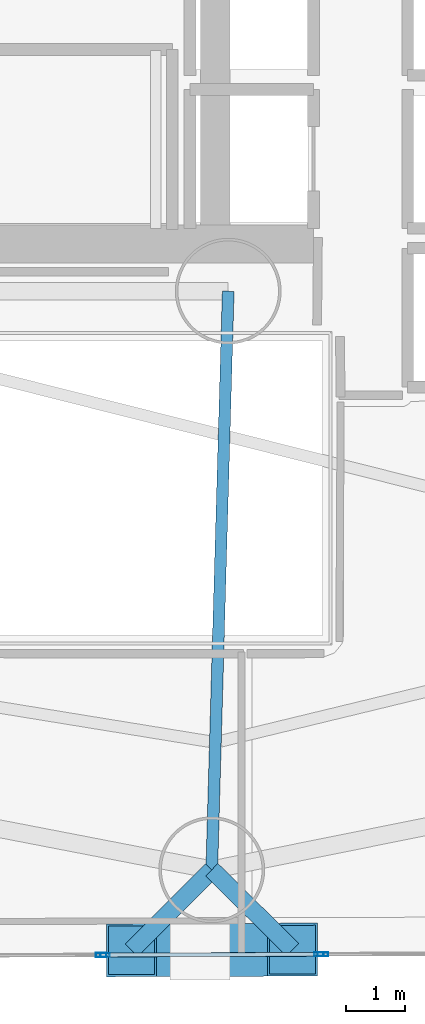
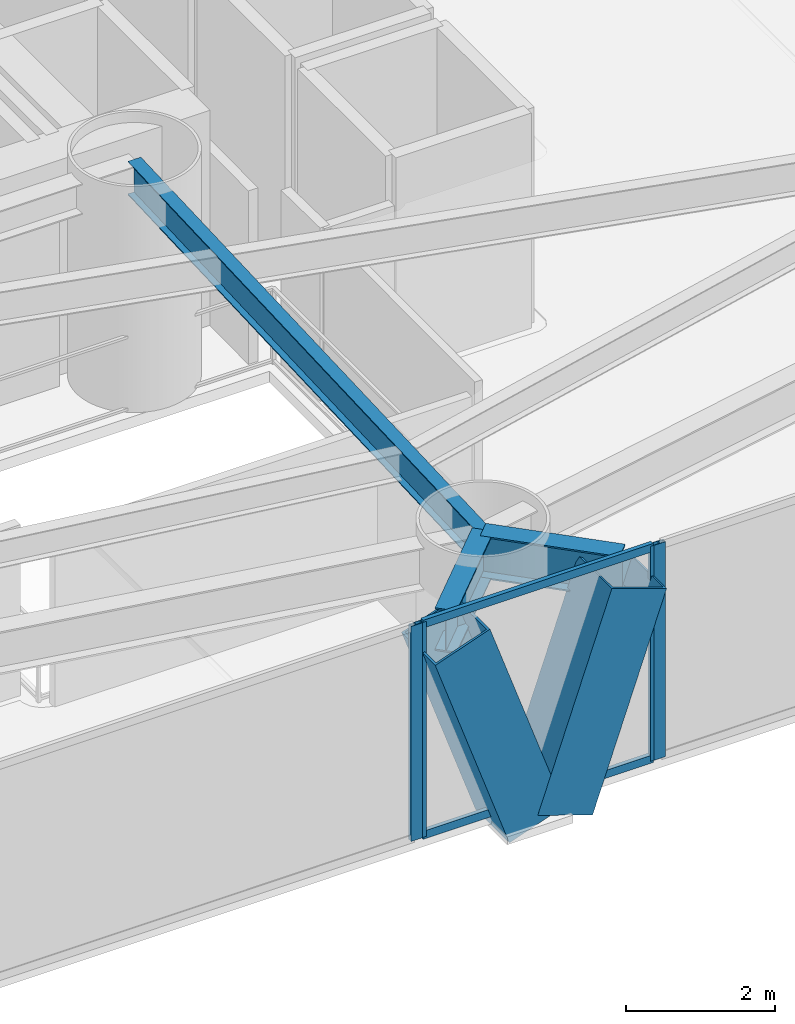
# One storey, part 5 of 22: 8 members, 3 beams, 3 elements without a shape of their own.
"""IFC4 building model written with IfcOpenShell, lengths in metres."""

from ifc_helpers import new_model, si_unit, direction, frame, origin, origin_2d, place, context, subcontext, project, spatial, hollow_rectangle, i_section, extrude, material, layer, layer_set, material_profile, profile_set, type_object, element, aggregate, save


model = new_model("IFC4")

# Units and contexts
model_context = context("Model", 3, precision=1e-05, world=origin(), true_north=direction((0.0, 1.0)))
body_context = subcontext(model_context, "Body", "Model", "MODEL_VIEW")
ifc_project = project(units=[si_unit("LENGTHUNIT", "METRE"), si_unit("AREAUNIT", "SQUARE_METRE"), si_unit("VOLUMEUNIT", "CUBIC_METRE"), si_unit("PLANEANGLEUNIT", "RADIAN"), si_unit("MASSUNIT", "GRAM", prefix="KILO")], contexts=[model_context])

# Site, building, storey
site_placement = place(None, origin())
site = spatial("IfcSite", under=ifc_project, at=site_placement, CompositionType="ELEMENT")
building_placement = place(site_placement, origin())
building = spatial("IfcBuilding", under=site, at=building_placement, Name="Qianvela Tower", CompositionType="ELEMENT")
storey_placement = place(building_placement, frame((0.0, 0.0, 40.5)))
storey = spatial("IfcBuildingStorey", under=building, at=storey_placement, Name="L09", CompositionType="ELEMENT", Elevation=40.5)

# Beams
ifc_material_1 = material(Name="Steel Q355B", Category="steel")
ifc_material_profile_1 = material_profile(ifc_material_1, i_section(OverallWidth=0.199951171875, OverallDepth=0.550048828125, WebThickness=0.010009765625, FlangeThickness=0.01611328125, at=origin_2d()), Name="HN550x200x10x16")
ifc_profile_set_1 = profile_set([ifc_material_profile_1], Name="Steel Q355B")
beam_type_1 = type_object("IfcBeamType", Name="BM-HN550-GIRD", PredefinedType="BEAM", material=ifc_profile_set_1)
beam_1_placement = place(storey_placement, frame((38.39990234375, 23.85009765625, 3.242919921875), z_axis=(-0.028439336302, -0.999595520273, 0.0), x_axis=(0.999595520273, -0.028439336302, 0.0)))
element("IfcBeam", 1, at=beam_1_placement, inside=storey, type_object=beam_type_1, Name="L09 Radial Primary Floor Girder 6", PredefinedType="BEAM", context=body_context, shape_type="SweptSolid", body=[
    extrude(i_section(OverallWidth=0.199951171875, OverallDepth=0.550048828125, WebThickness=0.010009765625, FlangeThickness=0.01611328125, at=origin_2d()), origin(), (0.0, 0.0, 1.0), 9.837890625),
])
ifc_material_2 = material(Name="Steel Q355B", Category="steel")
ifc_material_profile_2 = material_profile(ifc_material_2, i_section(OverallWidth=0.300048828125, OverallDepth=0.699951171875, WebThickness=0.012939453125, FlangeThickness=0.02392578125, at=origin_2d()), Name="HN700x300x13x24")
ifc_profile_set_2 = profile_set([ifc_material_profile_2], Name="Steel Q355B")
beam_type_2 = type_object("IfcBeamType", Name="BM-HN700-SPAND", PredefinedType="SPANDREL", material=ifc_profile_set_2)
beam_2_placement = place(storey_placement, frame((38.1201171875, 14.01611328125, 3.16796875), z_axis=(-0.706601344081, -0.707611857265, 0.0), x_axis=(0.707611857265, -0.706601344081, 0.0)))
element("IfcBeam", 2, at=beam_2_placement, inside=storey, type_object=beam_type_2, Name="L09 Mega-Brace Column Tie Bracket F3-1", PredefinedType="SPANDREL", context=body_context, shape_type="SweptSolid", body=[
    extrude(i_section(OverallWidth=0.300048828125, OverallDepth=0.699951171875, WebThickness=0.012939453125, FlangeThickness=0.02392578125, at=origin_2d()), origin(), (0.0, 0.0, 1.0), 1.932861328125),
])
beam_3_placement = place(storey_placement, frame((38.1201171875, 14.01611328125, 3.16796875), z_axis=(0.711325945185, -0.702862290714, 0.0), x_axis=(0.702862290714, 0.711325945185, 0.0)))
element("IfcBeam", 3, at=beam_3_placement, inside=storey, type_object=beam_type_2, Name="L09 Mega-Brace Column Tie Bracket F3-2", PredefinedType="SPANDREL", context=body_context, shape_type="SweptSolid", body=[
    extrude(i_section(OverallWidth=0.300048828125, OverallDepth=0.699951171875, WebThickness=0.012939453125, FlangeThickness=0.02392578125, at=origin_2d()), origin(), (0.0, 0.0, 1.0), 1.9326171875),
])

# Curtain wall, members
ifc_material_3 = material(Name="Anodised Architectural Aluminium and Insulated Spandrel Panel", Category="aluminium")
ifc_layer_1 = layer(ifc_material_3, 0.179931640625)
ifc_layer_set_1 = layer_set([ifc_layer_1], Name="Anodised Architectural Aluminium and Insulated Spandrel Panel")
curtain_wall_type_1 = type_object("IfcCurtainWallType", Name="CW-BRACEBAY", PredefinedType="USERDEFINED", material=ifc_layer_set_1)
curtain_wall_1_placement = place(storey_placement, origin())
curtain_wall_1 = element("IfcCurtainWall", 4, at=curtain_wall_1_placement, inside=storey, type_object=curtain_wall_type_1, Name="L09 CW-BRACEBAY Curtain Wall 06B", ObjectType="CURTAIN_WALL_SYSTEM", PredefinedType="USERDEFINED")
ifc_material_4 = material(Name="Anodised Architectural Aluminium 6063-T6", Category="aluminium")
ifc_material_profile_3 = material_profile(ifc_material_4, hollow_rectangle(XDim=0.06494140625, YDim=0.159912109375, WallThickness=0.0048828125, at=origin_2d()), Name="ALU-MULL-65x160")
ifc_profile_set_3 = profile_set([ifc_material_profile_3], Name="Anodised Architectural Aluminium 6063-T6")
member_type_1 = type_object("IfcMemberType", Name="CW-BRACEBAY-MULL", PredefinedType="MULLION", material=ifc_profile_set_3)
member_1_placement = place(storey_placement, frame((36.306884765625, 12.56689453125, 0.0), z_axis=(0.0, 0.0, 1.0), x_axis=(-0.003378359094, 0.999994293329, 0.0)))
member_1 = element("IfcMember", 5, at=member_1_placement, type_object=member_type_1, Name="CW-9 mullion 1", PredefinedType="MULLION", context=body_context, shape_type="SweptSolid", body=[
    extrude(hollow_rectangle(XDim=0.06494140625, YDim=0.159912109375, WallThickness=0.0048828125, at=origin_2d()), origin(), (0.0, 0.0, 1.0), 3.52001953125),
])
member_2_placement = place(storey_placement, frame((39.94189453125, 12.5791015625, 0.0), z_axis=(0.0, 0.0, 1.0), x_axis=(-0.003378359094, 0.999994293329, 0.0)))
member_2 = element("IfcMember", 6, at=member_2_placement, type_object=member_type_1, Name="CW-9 mullion 2", PredefinedType="MULLION", context=body_context, shape_type="SweptSolid", body=[
    extrude(hollow_rectangle(XDim=0.06494140625, YDim=0.159912109375, WallThickness=0.0048828125, at=origin_2d()), origin(), (0.0, 0.0, 1.0), 3.52001953125),
])
ifc_material_5 = material(Name="Anodised Architectural Aluminium 6063-T6", Category="aluminium")
ifc_material_profile_4 = material_profile(ifc_material_5, hollow_rectangle(XDim=0.06494140625, YDim=0.1298828125, WallThickness=0.00439453125, at=origin_2d()), Name="ALU-TRAN-65x130")
ifc_profile_set_4 = profile_set([ifc_material_profile_4], Name="Anodised Architectural Aluminium 6063-T6")
member_type_2 = type_object("IfcMemberType", Name="CW-BRACEBAY-TRAN", PredefinedType="USERDEFINED", material=ifc_profile_set_4)
member_3_placement = place(storey_placement, frame((36.33935546875, 12.567138671875, 0.032470703125), z_axis=(0.999994385062, 0.003351095942, 0.0), x_axis=(-0.003351095942, 0.999994385062, 0.0)))
member_3 = element("IfcMember", 7, at=member_3_placement, type_object=member_type_2, Name="CW-9 transom 1.1", ObjectType="TRANSOM", PredefinedType="USERDEFINED", context=body_context, shape_type="SweptSolid", body=[
    extrude(hollow_rectangle(XDim=0.06494140625, YDim=0.1298828125, WallThickness=0.00439453125, at=origin_2d()), origin(), (0.0, 0.0, 1.0), 3.56982421875),
])
member_4_placement = place(storey_placement, frame((36.33935546875, 12.567138671875, 3.487548828125), z_axis=(0.999994385062, 0.003351095942, 0.0), x_axis=(-0.003351095942, 0.999994385062, 0.0)))
member_4 = element("IfcMember", 8, at=member_4_placement, type_object=member_type_2, Name="CW-9 transom 1.2", ObjectType="TRANSOM", PredefinedType="USERDEFINED", context=body_context, shape_type="SweptSolid", body=[
    extrude(hollow_rectangle(XDim=0.06494140625, YDim=0.1298828125, WallThickness=0.00439453125, at=origin_2d()), origin(), (0.0, 0.0, 1.0), 3.56982421875),
])
aggregate(curtain_wall_1, [member_1, member_2, member_3, member_4])

# Curtain wall, member
ifc_material_6 = material(Name="Anodised Architectural Aluminium and Low-E Glass", Category="aluminium")
ifc_layer_2 = layer(ifc_material_6, 0.179931640625)
ifc_layer_set_2 = layer_set([ifc_layer_2], Name="Anodised Architectural Aluminium and Low-E Glass")
curtain_wall_type_2 = type_object("IfcCurtainWallType", Name="CW-COLIV-Z12", PredefinedType="USERDEFINED", material=ifc_layer_set_2)
curtain_wall_2_placement = place(storey_placement, origin())
curtain_wall_2 = element("IfcCurtainWall", 9, at=curtain_wall_2_placement, inside=storey, type_object=curtain_wall_type_2, Name="L09 CW-COLIV-Z12 Curtain Wall 06A", ObjectType="CURTAIN_WALL_SYSTEM", PredefinedType="USERDEFINED")
ifc_material_7 = material(Name="Anodised Architectural Aluminium 6063-T6", Category="aluminium")
ifc_material_profile_5 = material_profile(ifc_material_7, hollow_rectangle(XDim=0.070068359375, YDim=0.179931640625, WallThickness=0.0048828125, at=origin_2d()), Name="ALU-MULL-70x180")
ifc_profile_set_5 = profile_set([ifc_material_profile_5], Name="Anodised Architectural Aluminium 6063-T6")
member_type_3 = type_object("IfcMemberType", Name="CW-COLIV-Z12-MULL", PredefinedType="MULLION", material=ifc_profile_set_5)
member_5_placement = place(storey_placement, frame((36.2392578125, 12.566650390625, 0.0), z_axis=(0.0, 0.0, 1.0), x_axis=(-0.00336489804, 0.999994338715, 0.0)))
member_5 = element("IfcMember", 10, at=member_5_placement, type_object=member_type_3, Name="CW-3 mullion 2", PredefinedType="MULLION", context=body_context, shape_type="SweptSolid", body=[
    extrude(hollow_rectangle(XDim=0.070068359375, YDim=0.179931640625, WallThickness=0.0048828125, at=origin_2d()), origin(), (0.0, 0.0, 1.0), 3.52001953125),
])
aggregate(curtain_wall_2, [member_5])

curtain_wall_3_placement = place(storey_placement, origin())
curtain_wall_3 = element("IfcCurtainWall", 11, at=curtain_wall_3_placement, inside=storey, type_object=curtain_wall_type_2, Name="L09 CW-COLIV-Z12 Curtain Wall 06C", ObjectType="CURTAIN_WALL_SYSTEM", PredefinedType="USERDEFINED")
member_6_placement = place(storey_placement, frame((40.00927734375, 12.579345703125, 0.0), z_axis=(0.0, 0.0, 1.0), x_axis=(-0.003361742136, 0.999994349329, 0.0)))
member_6 = element("IfcMember", 12, at=member_6_placement, type_object=member_type_3, Name="CW-3 mullion 1", PredefinedType="MULLION", context=body_context, shape_type="SweptSolid", body=[
    extrude(hollow_rectangle(XDim=0.070068359375, YDim=0.179931640625, WallThickness=0.0048828125, at=origin_2d()), origin(), (0.0, 0.0, 1.0), 3.52001953125),
])
aggregate(curtain_wall_3, [member_6])

# Members
ifc_material_8 = material(Name="Steel Q420GJC", Category="steel")
ifc_material_profile_6 = material_profile(ifc_material_8, hollow_rectangle(XDim=0.89990234375, YDim=0.89990234375, WallThickness=0.035888671875, at=origin_2d()), Name="MBOX-900x900x36")
ifc_profile_set_6 = profile_set([ifc_material_profile_6], Name="Steel Q420GJC")
member_type_4 = type_object("IfcMemberType", Name="MBR-MBRACE-900", PredefinedType="BRACE", material=ifc_profile_set_6)
for number, where, z_axis, x_axis, name in (
    (13, (37.904541015625, 12.65234375, -0.139892578125), (-0.328414968292, -0.001115397897, 0.944532881635), (0.003396286929, -0.999994232601, 0.0), "L09 Tier 1 Exterior Mega-Brace F3A"),
    (14, (38.344482421875, 12.65380859375, -0.139892578125), (0.3284771596, 0.001115372359, 0.944511255394), (-0.003395566163, 0.999994235049, 0.0), "L09 Tier 1 Exterior Mega-Brace F3B"),
):
    element("IfcMember", number, at=place(storey_placement, frame(where, z_axis=z_axis, x_axis=x_axis)), inside=storey, type_object=member_type_4, Name=name, PredefinedType="BRACE", context=body_context, shape_type="SweptSolid", body=[
        extrude(hollow_rectangle(XDim=0.89990234375, YDim=0.89990234375, WallThickness=0.035888671875, at=origin_2d()), origin(), (0.0, 0.0, 1.0), 3.502197265625),
    ])

save(model, "model.ifc")
